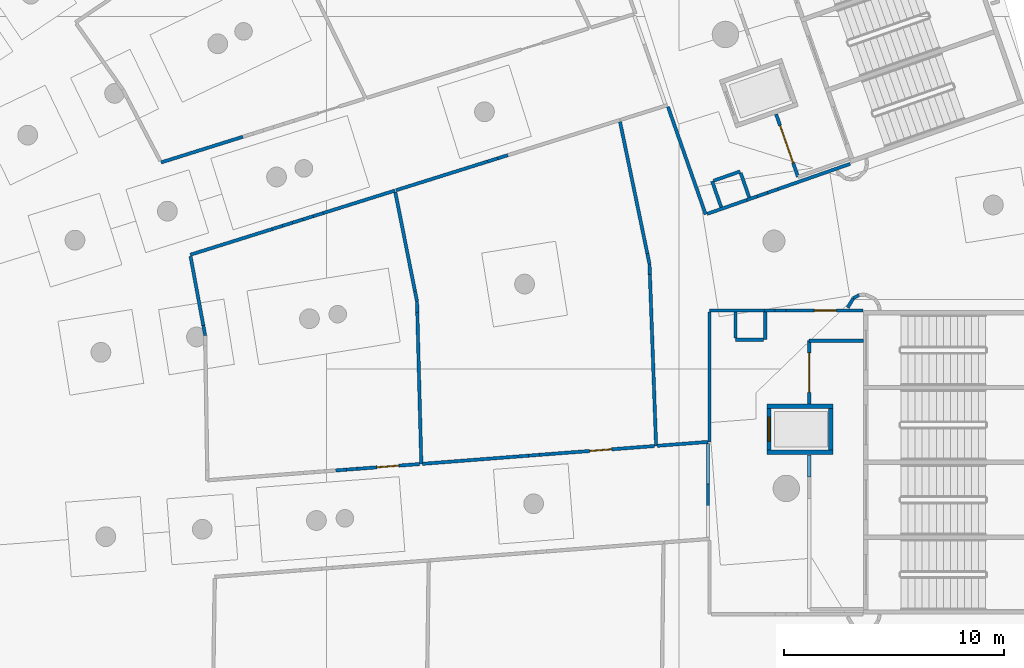
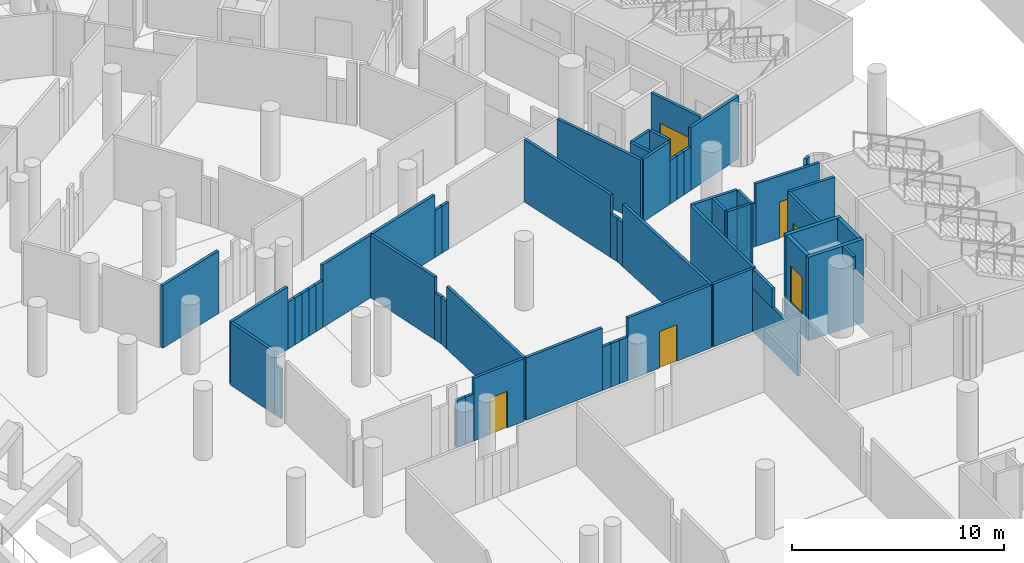
# One storey, part 85 of 142: 59 walls, 6 doors, 6 openings.
"""IFC4 building model written with IfcOpenShell, lengths in metres."""

from ifc_helpers import new_model, si_unit, direction, frame, frame_2d, origin, place, context, subcontext, project, spatial, rectangle, extrude, material, layer, layer_set, type_object, element, fill, save


model = new_model("IFC4")

# Units and contexts
model_context = context("Model", 3, precision=1e-05, world=origin(), true_north=direction((0.0, 1.0)))
body_context = subcontext(model_context, "Body", "Model", "MODEL_VIEW")
ifc_project = project(units=[si_unit("LENGTHUNIT", "METRE"), si_unit("AREAUNIT", "SQUARE_METRE"), si_unit("VOLUMEUNIT", "CUBIC_METRE"), si_unit("PLANEANGLEUNIT", "RADIAN"), si_unit("MASSUNIT", "GRAM", prefix="KILO")], contexts=[model_context])

# Site, building, storey
site_placement = place(None, origin())
site = spatial("IfcSite", under=ifc_project, at=site_placement, CompositionType="ELEMENT")
building_placement = place(site_placement, origin())
building = spatial("IfcBuilding", under=site, at=building_placement, Name="Meseta Stadium", CompositionType="ELEMENT")
storey_placement = place(building_placement, frame((0.0, 0.0, -4.0)))
storey = spatial("IfcBuildingStorey", under=building, at=storey_placement, Name="B1", CompositionType="ELEMENT", Elevation=-4.0)

# Walls
ifc_material_1 = material(Name="Concrete C40/50", Category="concrete")
ifc_layer_1 = layer(ifc_material_1, 0.199951171875)
ifc_layer_set_1 = layer_set([ifc_layer_1], Name="Core shaft wall 200")
wall_type_1 = type_object("IfcWallType", Name="Core shaft wall 200", PredefinedType="SHEAR", material=ifc_layer_set_1)
for number, where, z_axis, x_axis, name in (
    (1, (87.0, 44.199951171875, -1.199951171875), (0.0, 0.0, 1.0), (-1.0, 0.0, 0.0), "Core 05 B1 lift shaft wall left"),
    (2, (87.0, 46.300048828125, -1.199951171875), (0.0, 0.0, 1.0), (-1.0, 0.0, 0.0), "Core 05 B1 lift shaft wall right"),
):
    element("IfcWall", number, at=place(storey_placement, frame(where, z_axis=z_axis, x_axis=x_axis)), inside=storey, type_object=wall_type_1, Name=name, PredefinedType="SHEAR", context=body_context, shape_type="SweptSolid", body=[
        extrude(rectangle(XDim=3.0, YDim=0.199951171875, at=frame_2d((1.5, 0.0))), origin(), (0.0, 0.0, 1.0), 4.800048828125),
    ])
wall_1_placement = place(storey_placement, frame((86.89990234375, 44.300048828125, -1.199951171875), z_axis=(0.0, 0.0, 1.0), x_axis=(0.0, 1.0, 0.0)))
element("IfcWall", 3, at=wall_1_placement, inside=storey, type_object=wall_type_1, Name="Core 05 B1 lift shaft back wall", PredefinedType="SHEAR", context=body_context, shape_type="SweptSolid", body=[
    extrude(rectangle(XDim=1.89990234375, YDim=0.199951171875, at=frame_2d((0.949951171875, 0.0))), origin(), (0.0, 0.0, 1.0), 4.800048828125),
])

# Wall, opening, door
wall_2_placement = place(storey_placement, frame((84.10009765625, 44.300048828125, -1.199951171875), z_axis=(0.0, 0.0, 1.0), x_axis=(0.0, 1.0, 0.0)))
wall_2 = element("IfcWall", 4, at=wall_2_placement, inside=storey, type_object=wall_type_1, Name="Core 05 B1 lift shaft front wall", PredefinedType="SHEAR", context=body_context, shape_type="SweptSolid", body=[
    extrude(rectangle(XDim=1.89990234375, YDim=0.199951171875, at=frame_2d((0.949951171875, 0.0))), origin(), (0.0, 0.0, 1.0), 4.800048828125),
])
opening_1_placement = place(wall_2_placement, frame((0.39990234375, 0.0, 1.199951171875)))
opening_1 = element("IfcOpeningElement", 5, at=opening_1_placement, cuts=wall_2, Name="Opening LD25", PredefinedType="OPENING", context=body_context, shape_type="SweptSolid", body=[
    extrude(rectangle(XDim=1.10009765625, YDim=2.10009765625, at=frame_2d((0.550048828125, 1.050048828125))), frame((0.0, 0.10986328125, 0.0), z_axis=(0.0, -1.0, 0.0), x_axis=(1.0, 0.0, 0.0)), (0.0, 0.0, 1.0), 0.219970703125),
])
ifc_material_2 = material(Name="Steel", Category="steel")
door_type_1 = type_object("IfcDoorType", Name="Lift landing door 1100x2100", OperationType="SLIDING_TO_LEFT", PredefinedType="DOOR", material=ifc_material_2)
door_1_placement = place(opening_1_placement, origin())
door_1 = element("IfcDoor", 6, at=door_1_placement, inside=storey, type_object=door_type_1, Name="Lift landing door LD25", OperationType="SLIDING_TO_LEFT", OverallHeight=2.10009765625, OverallWidth=1.10009765625, PredefinedType="DOOR", context=body_context, shape_type="SweptSolid", body=[
    extrude(rectangle(XDim=1.10009765625, YDim=2.10009765625, at=frame_2d((0.550048828125, 1.050048828125))), frame((0.0, 0.02490234375, 0.0), z_axis=(0.0, -1.0, 0.0), x_axis=(1.0, 0.0, 0.0)), (0.0, 0.0, 1.0), 0.050048828125),
])
fill(opening_1, door_1)

# Walls
ifc_material_3 = material(Name="Masonry blockwork", Category="masonry")
ifc_layer_2 = layer(ifc_material_3, 0.14990234375)
ifc_layer_set_2 = layer_set([ifc_layer_2], Name="Partition 150")
wall_type_2 = type_object("IfcWallType", Name="Partition 150", PredefinedType="PARTITIONING", material=ifc_layer_set_2)
wall_3_placement = place(storey_placement, frame((57.80126953125, 53.18017578125, 0.0), z_axis=(0.0, 0.0, 1.0), x_axis=(0.954202212312, 0.299162394059, 0.0)))
element("IfcWall", 7, at=wall_3_placement, inside=storey, type_object=wall_type_2, Name="Partition B1 B1-cell04-1-0", PredefinedType="PARTITIONING", context=body_context, shape_type="SweptSolid", body=[
    extrude(rectangle(XDim=3.900146484375, YDim=0.14990234375, at=frame_2d((1.9501953125, 0.0))), origin(), (0.0, 0.0, 1.0), 3.60009765625),
])
wall_4_placement = place(storey_placement, frame((61.522705078125, 54.346923828125, 0.0), z_axis=(0.0, 0.0, 1.0), x_axis=(0.954095987043, 0.299500997508, 0.0)))
element("IfcWall", 8, at=wall_4_placement, inside=storey, type_object=wall_type_2, Name="Partition B1 B1-cell04-1-0", PredefinedType="PARTITIONING", context=body_context, shape_type="SweptSolid", body=[
    extrude(rectangle(XDim=0.487548828125, YDim=0.14990234375, at=frame_2d((0.24365234375, 0.0))), origin(), (0.0, 0.0, 1.0), 2.699951171875),
])
wall_5_placement = place(storey_placement, frame((61.98779296875, 54.492919921875, 0.0), z_axis=(0.0, 0.0, 1.0), x_axis=(0.954239015287, 0.299044982743, 0.0)))
element("IfcWall", 9, at=wall_5_placement, inside=storey, type_object=wall_type_2, Name="Partition B1 B1-cell04-1-0", PredefinedType="PARTITIONING", context=body_context, shape_type="SweptSolid", body=[
    extrude(rectangle(XDim=0.4873046875, YDim=0.14990234375, at=frame_2d((0.24365234375, 0.0))), origin(), (0.0, 0.0, 1.0), 2.699951171875),
])
for number, where, z_axis, x_axis, name in (
    (10, (62.452880859375, 54.638671875, 0.0), (0.0, 0.0, 1.0), (0.954283778776, 0.298902106993, 0.0), "Partition B1 B1-cell04-1-0"),
    (11, (62.918212890625, 54.784423828125, 0.0), (0.0, 0.0, 1.0), (0.954095987043, 0.299500997508, 0.0), "Partition B1 B1-cell04-1-0"),
):
    element("IfcWall", number, at=place(storey_placement, frame(where, z_axis=z_axis, x_axis=x_axis)), inside=storey, type_object=wall_type_2, Name=name, PredefinedType="PARTITIONING", context=body_context, shape_type="SweptSolid", body=[
        extrude(rectangle(XDim=0.487548828125, YDim=0.14990234375, at=frame_2d((0.24365234375, 0.0))), origin(), (0.0, 0.0, 1.0), 2.699951171875),
    ])
wall_6_placement = place(storey_placement, frame((63.38330078125, 54.930419921875, 0.0), z_axis=(0.0, 0.0, 1.0), x_axis=(0.954239015287, 0.299044982743, 0.0)))
element("IfcWall", 12, at=wall_6_placement, inside=storey, type_object=wall_type_2, Name="Partition B1 B1-cell04-1-0", PredefinedType="PARTITIONING", context=body_context, shape_type="SweptSolid", body=[
    extrude(rectangle(XDim=0.4873046875, YDim=0.14990234375, at=frame_2d((0.24365234375, 0.0))), origin(), (0.0, 0.0, 1.0), 2.699951171875),
])
wall_7_placement = place(storey_placement, frame((63.848388671875, 55.076171875, 0.0), z_axis=(0.0, 0.0, 1.0), x_axis=(0.954190550933, 0.299199586414, 0.0)))
element("IfcWall", 13, at=wall_7_placement, inside=storey, type_object=wall_type_2, Name="Partition B1 B1-cell04-1-0", PredefinedType="PARTITIONING", context=body_context, shape_type="SweptSolid", body=[
    extrude(rectangle(XDim=3.412353515625, YDim=0.14990234375, at=frame_2d((1.7060546875, 0.0))), origin(), (0.0, 0.0, 1.0), 3.60009765625),
])
wall_8_placement = place(storey_placement, frame((67.119384765625, 56.023193359375, 0.0), z_axis=(0.0, 0.0, 1.0), x_axis=(0.194807566784, -0.980841481547, 0.0)))
element("IfcWall", 14, at=wall_8_placement, inside=storey, type_object=wall_type_2, Name="Partition B1 B1-cell04-1-0", PredefinedType="PARTITIONING", context=body_context, shape_type="SweptSolid", body=[
    extrude(rectangle(XDim=4.593017578125, YDim=0.14990234375, at=frame_2d((2.29638671875, 0.0))), origin(), (0.0, 0.0, 1.0), 3.60009765625),
])
wall_9_placement = place(storey_placement, frame((68.01416015625, 51.51806640625, 0.0), z_axis=(0.0, 0.0, 1.0), x_axis=(0.195010055253, -0.980801243041, 0.0)))
element("IfcWall", 15, at=wall_9_placement, inside=storey, type_object=wall_type_2, Name="Partition B1 B1-cell04-1-0", PredefinedType="PARTITIONING", context=body_context, shape_type="SweptSolid", body=[
    extrude(rectangle(XDim=0.467041015625, YDim=0.14990234375, at=frame_2d((0.2333984375, 0.0))), origin(), (0.0, 0.0, 1.0), 2.699951171875),
])
wall_10_placement = place(storey_placement, frame((68.105224609375, 51.06005859375, 0.0), z_axis=(0.0, 0.0, 1.0), x_axis=(0.026280602223, -0.999654605325, 0.0)))
element("IfcWall", 16, at=wall_10_placement, inside=storey, type_object=wall_type_2, Name="Partition B1 B1-cell04-1-0", PredefinedType="PARTITIONING", context=body_context, shape_type="SweptSolid", body=[
    extrude(rectangle(XDim=0.492431640625, YDim=0.14990234375, at=frame_2d((0.24609375, 0.0))), origin(), (0.0, 0.0, 1.0), 2.699951171875),
])
wall_11_placement = place(storey_placement, frame((68.1181640625, 50.56787109375, 0.0), z_axis=(0.0, 0.0, 1.0), x_axis=(0.026492027296, -0.999649024653, 0.0)))
element("IfcWall", 17, at=wall_11_placement, inside=storey, type_object=wall_type_2, Name="Partition B1 B1-cell04-1-0", PredefinedType="PARTITIONING", context=body_context, shape_type="SweptSolid", body=[
    extrude(rectangle(XDim=6.893310546875, YDim=0.14990234375, at=frame_2d((3.44677734375, 0.0))), origin(), (0.0, 0.0, 1.0), 3.60009765625),
])

# Wall, opening, door
wall_12_placement = place(storey_placement, frame((68.22607421875, 43.671142578125, 0.0), z_axis=(0.0, 0.0, 1.0), x_axis=(-0.997069583708, -0.076499968919, 0.0)))
wall_12 = element("IfcWall", 18, at=wall_12_placement, inside=storey, type_object=wall_type_2, Name="Partition B1 B1-cell04-1-0", PredefinedType="PARTITIONING", context=body_context, shape_type="SweptSolid", body=[
    extrude(rectangle(XDim=2.849853515625, YDim=0.14990234375, at=frame_2d((1.4248046875, 0.0))), origin(), (0.0, 0.0, 1.0), 3.60009765625),
])
opening_2_placement = place(wall_12_placement, frame((0.949951171875, 0.0, 0.0)))
opening_2 = element("IfcOpeningElement", 19, at=opening_2_placement, cuts=wall_12, Name="Opening D445", PredefinedType="OPENING", context=body_context, shape_type="SweptSolid", body=[
    extrude(rectangle(XDim=1.0, YDim=2.10009765625, at=frame_2d((0.5, 1.050048828125))), frame((0.0, 0.0849609375, 0.0), z_axis=(0.0, -1.0, 0.0), x_axis=(1.0, 0.0, 0.0)), (0.0, 0.0, 1.0), 0.169921875),
])
ifc_material_4 = material(Name="Steel", Category="steel")
door_type_2 = type_object("IfcDoorType", Name="Fire door 1000x2100 EI2 60", OperationType="NOTDEFINED", PredefinedType="DOOR", material=ifc_material_4)
door_2_placement = place(opening_2_placement, origin())
door_2 = element("IfcDoor", 20, at=door_2_placement, inside=storey, type_object=door_type_2, Name="Door D445", OperationType="SINGLE_SWING_RIGHT", OverallHeight=2.10009765625, OverallWidth=1.0, PredefinedType="DOOR", context=body_context, shape_type="SweptSolid", body=[
    extrude(rectangle(XDim=1.0, YDim=2.10009765625, at=frame_2d((0.5, 1.050048828125))), frame((0.0, 0.02490234375, 0.0), z_axis=(0.0, -1.0, 0.0), x_axis=(1.0, 0.0, 0.0)), (0.0, 0.0, 1.0), 0.050048828125),
])
fill(opening_2, door_2)

# Walls
wall_13_placement = place(storey_placement, frame((65.384521484375, 43.453125, 0.0), z_axis=(0.0, 0.0, 1.0), x_axis=(-0.997063311839, -0.076581670036, 0.0)))
element("IfcWall", 21, at=wall_13_placement, inside=storey, type_object=wall_type_2, Name="Partition B1 B1-cell04-1-0", PredefinedType="PARTITIONING", context=body_context, shape_type="SweptSolid", body=[
    extrude(rectangle(XDim=0.48779296875, YDim=0.14990234375, at=frame_2d((0.243896484375, 0.0))), origin(), (0.0, 0.0, 1.0), 2.699951171875),
])
wall_14_placement = place(storey_placement, frame((64.898193359375, 43.415771484375, 0.0), z_axis=(0.0, 0.0, 1.0), x_axis=(-0.997057432024, -0.076658184472, 0.0)))
element("IfcWall", 22, at=wall_14_placement, inside=storey, type_object=wall_type_2, Name="Partition B1 B1-cell04-1-0", PredefinedType="PARTITIONING", context=body_context, shape_type="SweptSolid", body=[
    extrude(rectangle(XDim=0.4873046875, YDim=0.14990234375, at=frame_2d((0.24365234375, 0.0))), origin(), (0.0, 0.0, 1.0), 2.699951171875),
])
wall_15_placement = place(storey_placement, frame((58.479248046875, 49.509765625, 0.0), z_axis=(0.0, 0.0, 1.0), x_axis=(-0.181601982184, 0.983372116783, 0.0)))
element("IfcWall", 23, at=wall_15_placement, inside=storey, type_object=wall_type_2, Name="Partition B1 B1-cell04-1-0", PredefinedType="PARTITIONING", context=body_context, shape_type="SweptSolid", body=[
    extrude(rectangle(XDim=0.466552734375, YDim=0.14990234375, at=frame_2d((0.2333984375, 0.0))), origin(), (0.0, 0.0, 1.0), 2.85009765625),
])
wall_16_placement = place(storey_placement, frame((58.39453125, 49.968505859375, 0.0), z_axis=(0.0, 0.0, 1.0), x_axis=(-0.18165904476, 0.983361577171, 0.0)))
element("IfcWall", 24, at=wall_16_placement, inside=storey, type_object=wall_type_2, Name="Partition B1 B1-cell04-1-0", PredefinedType="PARTITIONING", context=body_context, shape_type="SweptSolid", body=[
    extrude(rectangle(XDim=3.1904296875, YDim=0.14990234375, at=frame_2d((1.59521484375, 0.0))), origin(), (0.0, 0.0, 1.0), 3.60009765625),
])
wall_17_placement = place(storey_placement, frame((67.15234375, 56.112060546875, 0.0), z_axis=(0.0, 0.0, 1.0), x_axis=(0.954196372084, 0.299181021292, 0.0)))
element("IfcWall", 25, at=wall_17_placement, inside=storey, type_object=wall_type_2, Name="Partition B1 B1-cell04-2-0", PredefinedType="PARTITIONING", context=body_context, shape_type="SweptSolid", body=[
    extrude(rectangle(XDim=4.356689453125, YDim=0.14990234375, at=frame_2d((2.17822265625, 0.0))), origin(), (0.0, 0.0, 1.0), 3.60009765625),
])
for number, where, z_axis, x_axis, name in (
    (26, (71.3095703125, 57.41552734375, 0.0), (0.0, 0.0, 1.0), (0.954228362244, 0.299078974001, 0.0), "Partition B1 B1-cell04-2-0"),
    (27, (71.771484375, 57.560302734375, 0.0), (0.0, 0.0, 1.0), (0.954228362244, 0.299078974001, 0.0), "Partition B1 B1-cell04-2-0"),
):
    element("IfcWall", number, at=place(storey_placement, frame(where, z_axis=z_axis, x_axis=x_axis)), inside=storey, type_object=wall_type_2, Name=name, PredefinedType="PARTITIONING", context=body_context, shape_type="SweptSolid", body=[
        extrude(rectangle(XDim=0.484130859375, YDim=0.14990234375, at=frame_2d((0.2421875, 0.0))), origin(), (0.0, 0.0, 1.0), 2.699951171875),
    ])
wall_18_placement = place(storey_placement, frame((77.329833984375, 59.224609375, 0.0), z_axis=(0.0, 0.0, 1.0), x_axis=(0.20289695764, -0.979200094251, 0.0)))
element("IfcWall", 28, at=wall_18_placement, inside=storey, type_object=wall_type_2, Name="Partition B1 B1-cell04-2-0", PredefinedType="PARTITIONING", context=body_context, shape_type="SweptSolid", body=[
    extrude(rectangle(XDim=6.12353515625, YDim=0.14990234375, at=frame_2d((3.061767578125, 0.0))), origin(), (0.0, 0.0, 1.0), 3.60009765625),
])
wall_19_placement = place(storey_placement, frame((78.572265625, 53.228515625, 0.0), z_axis=(0.0, 0.0, 1.0), x_axis=(0.20270716315, -0.979239401785, 0.0)))
element("IfcWall", 29, at=wall_19_placement, inside=storey, type_object=wall_type_2, Name="Partition B1 B1-cell04-2-0", PredefinedType="PARTITIONING", context=body_context, shape_type="SweptSolid", body=[
    extrude(rectangle(XDim=0.47705078125, YDim=0.14990234375, at=frame_2d((0.238525390625, 0.0))), origin(), (0.0, 0.0, 1.0), 2.5),
])
wall_20_placement = place(storey_placement, frame((78.6689453125, 52.761474609375, 0.0), z_axis=(0.0, 0.0, 1.0), x_axis=(0.036622003428, -0.999329189439, 0.0)))
element("IfcWall", 30, at=wall_20_placement, inside=storey, type_object=wall_type_2, Name="Partition B1 B1-cell04-2-0", PredefinedType="PARTITIONING", context=body_context, shape_type="SweptSolid", body=[
    extrude(rectangle(XDim=0.486572265625, YDim=0.14990234375, at=frame_2d((0.2431640625, 0.0))), origin(), (0.0, 0.0, 1.0), 2.5),
])
wall_21_placement = place(storey_placement, frame((78.686767578125, 52.275146484375, 0.0), z_axis=(0.0, 0.0, 1.0), x_axis=(0.036317977956, -0.999340284626, 0.0)))
element("IfcWall", 31, at=wall_21_placement, inside=storey, type_object=wall_type_2, Name="Partition B1 B1-cell04-2-0", PredefinedType="PARTITIONING", context=body_context, shape_type="SweptSolid", body=[
    extrude(rectangle(XDim=7.784423828125, YDim=0.14990234375, at=frame_2d((3.89208984375, 0.0))), origin(), (0.0, 0.0, 1.0), 3.60009765625),
])

# Wall, opening, door
wall_22_placement = place(storey_placement, frame((78.89453125, 44.489990234375, 0.0), z_axis=(0.0, 0.0, 1.0), x_axis=(-0.997066827754, -0.076535880423, 0.0)))
wall_22 = element("IfcWall", 32, at=wall_22_placement, inside=storey, type_object=wall_type_2, Name="Partition B1 B1-cell04-2-0", PredefinedType="PARTITIONING", context=body_context, shape_type="SweptSolid", body=[
    extrude(rectangle(XDim=4.765625, YDim=0.14990234375, at=frame_2d((2.3828125, 0.0))), origin(), (0.0, 0.0, 1.0), 3.60009765625),
])
opening_3_placement = place(wall_22_placement, frame((1.949951171875, 0.0, 0.0)))
opening_3 = element("IfcOpeningElement", 33, at=opening_3_placement, cuts=wall_22, Name="Opening D446", PredefinedType="OPENING", context=body_context, shape_type="SweptSolid", body=[
    extrude(rectangle(XDim=1.0, YDim=2.10009765625, at=frame_2d((0.5, 1.050048828125))), frame((0.0, 0.0849609375, 0.0), z_axis=(0.0, -1.0, 0.0), x_axis=(1.0, 0.0, 0.0)), (0.0, 0.0, 1.0), 0.169921875),
])
door_3_placement = place(opening_3_placement, origin())
door_3 = element("IfcDoor", 34, at=door_3_placement, inside=storey, type_object=door_type_2, Name="Door D446", OperationType="SINGLE_SWING_LEFT", OverallHeight=2.10009765625, OverallWidth=1.0, PredefinedType="DOOR", context=body_context, shape_type="SweptSolid", body=[
    extrude(rectangle(XDim=1.0, YDim=2.10009765625, at=frame_2d((0.5, 1.050048828125))), frame((0.0, 0.02490234375, 0.0), z_axis=(0.0, -1.0, 0.0), x_axis=(1.0, 0.0, 0.0)), (0.0, 0.0, 1.0), 0.050048828125),
])
fill(opening_3, door_3)

# Walls
for number, where, z_axis, x_axis, name in (
    (35, (74.142822265625, 44.125244140625, 0.0), (0.0, 0.0, 1.0), (-0.997095873835, -0.076156538669, 0.0), "Partition B1 B1-cell04-2-0"),
    (36, (73.66015625, 44.08837890625, 0.0), (0.0, 0.0, 1.0), (-0.997057451394, -0.07665793253, 0.0), "Partition B1 B1-cell04-2-0"),
    (37, (73.177490234375, 44.05126953125, 0.0), (0.0, 0.0, 1.0), (-0.997057451394, -0.07665793253, 0.0), "Partition B1 B1-cell04-2-0"),
):
    element("IfcWall", number, at=place(storey_placement, frame(where, z_axis=z_axis, x_axis=x_axis)), inside=storey, type_object=wall_type_2, Name=name, PredefinedType="PARTITIONING", context=body_context, shape_type="SweptSolid", body=[
        extrude(rectangle(XDim=0.484130859375, YDim=0.14990234375, at=frame_2d((0.2421875, 0.0))), origin(), (0.0, 0.0, 1.0), 2.5),
    ])
wall_23_placement = place(storey_placement, frame((72.69482421875, 44.01416015625, 0.0), z_axis=(0.0, 0.0, 1.0), x_axis=(-0.997070286559, -0.076490807686, 0.0)))
element("IfcWall", 38, at=wall_23_placement, inside=storey, type_object=wall_type_2, Name="Partition B1 B1-cell04-2-0", PredefinedType="PARTITIONING", context=body_context, shape_type="SweptSolid", body=[
    extrude(rectangle(XDim=4.356689453125, YDim=0.14990234375, at=frame_2d((2.17822265625, 0.0))), origin(), (0.0, 0.0, 1.0), 3.60009765625),
])
wall_24_placement = place(storey_placement, frame((79.508056640625, 59.907470703125, 0.0), z_axis=(0.0, 0.0, 1.0), x_axis=(0.330291692253, -0.943878910681, 0.0)))
element("IfcWall", 39, at=wall_24_placement, inside=storey, type_object=wall_type_2, Name="Partition B1 B1-cell04-3-0", PredefinedType="PARTITIONING", context=body_context, shape_type="SweptSolid", body=[
    extrude(rectangle(XDim=5.1845703125, YDim=0.14990234375, at=frame_2d((2.59228515625, 0.0))), origin(), (0.0, 0.0, 1.0), 3.60009765625),
])
wall_25_placement = place(storey_placement, frame((81.291259765625, 55.038818359375, 0.0), z_axis=(0.0, 0.0, 1.0), x_axis=(0.943910062753, 0.330202655097, 0.0)))
element("IfcWall", 40, at=wall_25_placement, inside=storey, type_object=wall_type_2, Name="Partition B1 B1-cell04-3-0", PredefinedType="PARTITIONING", context=body_context, shape_type="SweptSolid", body=[
    extrude(rectangle(XDim=1.91357421875, YDim=0.14990234375, at=frame_2d((0.956787109375, 0.0))), origin(), (0.0, 0.0, 1.0), 3.60009765625),
])
for number, where, z_axis, x_axis, name in (
    (41, (83.097412109375, 55.670654296875, 0.0), (0.0, 0.0, 1.0), (0.943812413138, 0.330481661832, 0.0), "Partition B1 B1-cell04-3-0"),
    (42, (83.566650390625, 55.8349609375, 0.0), (0.0, 0.0, 1.0), (0.943965503635, 0.330044130303, 0.0), "Partition B1 B1-cell04-3-0"),
    (43, (84.035888671875, 55.9990234375, 0.0), (0.0, 0.0, 1.0), (0.943812413138, 0.330481661832, 0.0), "Partition B1 B1-cell04-3-0"),
):
    element("IfcWall", number, at=place(storey_placement, frame(where, z_axis=z_axis, x_axis=x_axis)), inside=storey, type_object=wall_type_2, Name=name, PredefinedType="PARTITIONING", context=body_context, shape_type="SweptSolid", body=[
        extrude(rectangle(XDim=0.4970703125, YDim=0.14990234375, at=frame_2d((0.24853515625, 0.0))), origin(), (0.0, 0.0, 1.0), 2.5),
    ])
wall_26_placement = place(storey_placement, frame((84.505126953125, 56.163330078125, 0.0), z_axis=(0.0, 0.0, 1.0), x_axis=(0.943878042103, 0.330294174389, 0.0)))
element("IfcWall", 44, at=wall_26_placement, inside=storey, type_object=wall_type_2, Name="Partition B1 B1-cell04-3-0", PredefinedType="PARTITIONING", context=body_context, shape_type="SweptSolid", body=[
    extrude(rectangle(XDim=3.47998046875, YDim=0.14990234375, at=frame_2d((1.739990234375, 0.0))), origin(), (0.0, 0.0, 1.0), 3.60009765625),
])

# Wall, opening, door
wall_27_placement = place(storey_placement, frame((88.360107421875, 50.64990234375, 0.0), z_axis=(0.0, 0.0, 1.0), x_axis=(-1.0, 0.0, 0.0)))
wall_27 = element("IfcWall", 45, at=wall_27_placement, inside=storey, type_object=wall_type_2, Name="Partition B1 B1-cell04-3-0", PredefinedType="PARTITIONING", context=body_context, shape_type="SweptSolid", body=[
    extrude(rectangle(XDim=3.480224609375, YDim=0.14990234375, at=frame_2d((1.740234375, 0.0))), origin(), (0.0, 0.0, 1.0), 3.60009765625),
])
opening_4_placement = place(wall_27_placement, frame((1.199951171875, 0.0, 0.0)))
opening_4 = element("IfcOpeningElement", 46, at=opening_4_placement, cuts=wall_27, Name="Opening D447", PredefinedType="OPENING", context=body_context, shape_type="SweptSolid", body=[
    extrude(rectangle(XDim=1.0, YDim=2.10009765625, at=frame_2d((0.5, 1.050048828125))), frame((0.0, 0.0849609375, 0.0), z_axis=(0.0, -1.0, 0.0), x_axis=(1.0, 0.0, 0.0)), (0.0, 0.0, 1.0), 0.169921875),
])
door_4_placement = place(opening_4_placement, origin())
door_4 = element("IfcDoor", 47, at=door_4_placement, inside=storey, type_object=door_type_2, Name="Door D447", OperationType="SINGLE_SWING_RIGHT", OverallHeight=2.10009765625, OverallWidth=1.0, PredefinedType="DOOR", context=body_context, shape_type="SweptSolid", body=[
    extrude(rectangle(XDim=1.0, YDim=2.10009765625, at=frame_2d((0.5, 1.050048828125))), frame((0.0, 0.02490234375, 0.0), z_axis=(0.0, -1.0, 0.0), x_axis=(1.0, 0.0, 0.0)), (0.0, 0.0, 1.0), 0.050048828125),
])
fill(opening_4, door_4)

# Walls
for number, where, z_axis, x_axis, name in (
    (48, (84.8798828125, 50.64990234375, 0.0), (0.0, 0.0, 1.0), (-1.0, 0.0, 0.0), "Partition B1 B1-cell04-3-0"),
    (49, (84.3828125, 50.64990234375, 0.0), (0.0, 0.0, 1.0), (-1.0, 0.0, 0.0), "Partition B1 B1-cell04-3-0"),
):
    element("IfcWall", number, at=place(storey_placement, frame(where, z_axis=z_axis, x_axis=x_axis)), inside=storey, type_object=wall_type_2, Name=name, PredefinedType="PARTITIONING", context=body_context, shape_type="SweptSolid", body=[
        extrude(rectangle(XDim=0.4970703125, YDim=0.14990234375, at=frame_2d((0.24853515625, 0.0))), origin(), (0.0, 0.0, 1.0), 2.5),
    ])
wall_28_placement = place(storey_placement, frame((83.8857421875, 50.64990234375, 0.0), z_axis=(0.0, 0.0, 1.0), x_axis=(-1.0, 0.0, 0.0)))
element("IfcWall", 50, at=wall_28_placement, inside=storey, type_object=wall_type_2, Name="Partition B1 B1-cell04-3-0", PredefinedType="PARTITIONING", context=body_context, shape_type="SweptSolid", body=[
    extrude(rectangle(XDim=2.48583984375, YDim=0.14990234375, at=frame_2d((1.242919921875, 0.0))), origin(), (0.0, 0.0, 1.0), 3.60009765625),
])
wall_29_placement = place(storey_placement, frame((81.39990234375, 50.574951171875, 0.0), z_axis=(0.0, 0.0, 1.0), x_axis=(0.0, -1.0, 0.0)))
element("IfcWall", 51, at=wall_29_placement, inside=storey, type_object=wall_type_2, Name="Partition B1 B1-cell04-3-0", PredefinedType="PARTITIONING", context=body_context, shape_type="SweptSolid", body=[
    extrude(rectangle(XDim=5.892578125, YDim=0.14990234375, at=frame_2d((2.9462890625, 0.0))), origin(), (0.0, 0.0, 1.0), 3.60009765625),
])
wall_30_placement = place(storey_placement, frame((81.324951171875, 44.676513671875, 0.0), z_axis=(0.0, 0.0, 1.0), x_axis=(-0.997066273449, -0.076543101255, 0.0)))
element("IfcWall", 52, at=wall_30_placement, inside=storey, type_object=wall_type_2, Name="Partition B1 B1-cell04-3-0", PredefinedType="PARTITIONING", context=body_context, shape_type="SweptSolid", body=[
    extrude(rectangle(XDim=2.3125, YDim=0.14990234375, at=frame_2d((1.15625, 0.0))), origin(), (0.0, 0.0, 1.0), 3.60009765625),
])
wall_31_placement = place(storey_placement, frame((60.1923828125, 58.541259765625, 0.0), z_axis=(0.0, 0.0, 1.0), x_axis=(-0.954184030199, -0.299220381178, 0.0)))
element("IfcWall", 53, at=wall_31_placement, inside=storey, type_object=wall_type_2, Name="Partition B1 B1-cell05-1-0", PredefinedType="PARTITIONING", context=body_context, shape_type="SweptSolid", body=[
    extrude(rectangle(XDim=3.89599609375, YDim=0.14990234375, at=frame_2d((1.947998046875, 0.0))), origin(), (0.0, 0.0, 1.0), 3.60009765625),
])
wall_32_placement = place(storey_placement, frame((83.925048828125, 49.324951171875, 0.0), z_axis=(0.0, 0.0, 1.0), x_axis=(0.0, 1.0, 0.0)))
element("IfcWall", 54, at=wall_32_placement, inside=storey, type_object=wall_type_2, Name="Pressurisation shaft wall B1 core 05", PredefinedType="PARTITIONING", context=body_context, shape_type="SweptSolid", body=[
    extrude(rectangle(XDim=1.2490234375, YDim=0.14990234375, at=frame_2d((0.62451171875, 0.0))), origin(), (0.0, 0.0, 1.0), 3.60009765625),
])
wall_33_placement = place(storey_placement, frame((82.574951171875, 50.573974609375, 0.0), z_axis=(0.0, 0.0, 1.0), x_axis=(0.0, -1.0, 0.0)))
element("IfcWall", 55, at=wall_33_placement, inside=storey, type_object=wall_type_2, Name="Pressurisation shaft wall B1 core 05", PredefinedType="PARTITIONING", context=body_context, shape_type="SweptSolid", body=[
    extrude(rectangle(XDim=1.174072265625, YDim=0.14990234375, at=frame_2d((0.5869140625, 0.0))), origin(), (0.0, 0.0, 1.0), 3.60009765625),
])
wall_34_placement = place(storey_placement, frame((82.574951171875, 49.324951171875, 0.0), z_axis=(0.0, 0.0, 1.0), x_axis=(1.0, 0.0, 0.0)))
element("IfcWall", 56, at=wall_34_placement, inside=storey, type_object=wall_type_2, Name="Pressurisation shaft wall B1 core 05", PredefinedType="PARTITIONING", context=body_context, shape_type="SweptSolid", body=[
    extrude(rectangle(XDim=1.275146484375, YDim=0.14990234375, at=frame_2d((0.6376953125, 0.0))), origin(), (0.0, 0.0, 1.0), 3.60009765625),
])
wall_35_placement = place(storey_placement, frame((88.389892578125, 49.27490234375, 0.0), z_axis=(0.0, 0.0, 1.0), x_axis=(-1.0, 0.0, 0.0)))
element("IfcWall", 57, at=wall_35_placement, inside=storey, type_object=wall_type_2, Name="Stair vestibule wall B1 core 05", PredefinedType="PARTITIONING", context=body_context, shape_type="SweptSolid", body=[
    extrude(rectangle(XDim=2.46484375, YDim=0.14990234375, at=frame_2d((1.232421875, 0.0))), origin(), (0.0, 0.0, 1.0), 3.60009765625),
])

# Wall, opening, door
wall_36_placement = place(storey_placement, frame((85.925048828125, 49.27490234375, 0.0), z_axis=(0.0, 0.0, 1.0), x_axis=(0.0, -1.0, 0.0)))
wall_36 = element("IfcWall", 58, at=wall_36_placement, inside=storey, type_object=wall_type_2, Name="Stair vestibule wall B1 core 05", PredefinedType="PARTITIONING", context=body_context, shape_type="SweptSolid", body=[
    extrude(rectangle(XDim=2.864990234375, YDim=0.14990234375, at=frame_2d((1.4326171875, 0.0))), origin(), (0.0, 0.0, 1.0), 3.60009765625),
])
opening_5_placement = place(wall_36_placement, frame((0.550048828125, 0.0, 0.0)))
opening_5 = element("IfcOpeningElement", 59, at=opening_5_placement, cuts=wall_36, Name="Opening D718", PredefinedType="OPENING", context=body_context, shape_type="SweptSolid", body=[
    extrude(rectangle(XDim=1.800048828125, YDim=2.10009765625, at=frame_2d((0.89990234375, 1.050048828125))), frame((0.0, 0.0849609375, 0.0), z_axis=(0.0, -1.0, 0.0), x_axis=(1.0, 0.0, 0.0)), (0.0, 0.0, 1.0), 0.169921875),
])
ifc_material_5 = material(Name="Steel", Category="steel")
door_type_3 = type_object("IfcDoorType", Name="Fire double door 1800x2100 EI2 60", OperationType="DOUBLE_DOOR_SINGLE_SWING", PredefinedType="DOOR", material=ifc_material_5)
door_5_placement = place(opening_5_placement, origin())
door_5 = element("IfcDoor", 60, at=door_5_placement, inside=storey, type_object=door_type_3, Name="Stair vestibule door B1 core 05", OperationType="DOUBLE_DOOR_SINGLE_SWING", OverallHeight=2.10009765625, OverallWidth=1.800048828125, PredefinedType="DOOR", context=body_context, shape_type="SweptSolid", body=[
    extrude(rectangle(XDim=1.800048828125, YDim=2.10009765625, at=frame_2d((0.89990234375, 1.050048828125))), frame((0.0, 0.02490234375, 0.0), z_axis=(0.0, -1.0, 0.0), x_axis=(1.0, 0.0, 0.0)), (0.0, 0.0, 1.0), 0.050048828125),
])
fill(opening_5, door_5)

# Walls
wall_37_placement = place(storey_placement, frame((85.925048828125, 44.090087890625, 2.85009765625), z_axis=(0.0, 0.0, 1.0), x_axis=(0.0, -1.0, 0.0)))
element("IfcWall", 61, at=wall_37_placement, inside=storey, type_object=wall_type_2, Name="Stair vestibule wall B1 core 05", PredefinedType="PARTITIONING", context=body_context, shape_type="SweptSolid", body=[
    extrude(rectangle(XDim=0.9970703125, YDim=0.14990234375, at=frame_2d((0.49853515625, 0.0))), origin(), (0.0, 0.0, 1.0), 0.75),
])
wall_38_placement = place(storey_placement, frame((81.324951171875, 44.594482421875, 0.0), z_axis=(0.0, 0.0, 1.0), x_axis=(0.0, -1.0, 0.0)))
element("IfcWall", 62, at=wall_38_placement, inside=storey, type_object=wall_type_2, Name="Stair vestibule wall B1 core 05", PredefinedType="PARTITIONING", context=body_context, shape_type="SweptSolid", body=[
    extrude(rectangle(XDim=4.24072265625, YDim=0.14990234375, at=frame_2d((2.120361328125, 0.0))), origin(), (0.0, 0.0, 1.0), 2.5),
])
wall_39_placement = place(storey_placement, frame((81.324951171875, 44.594482421875, 2.5), z_axis=(0.0, 0.0, 1.0), x_axis=(0.0, -1.0, 0.0)))
element("IfcWall", 63, at=wall_39_placement, inside=storey, type_object=wall_type_2, Name="Stair vestibule wall B1 core 05", PredefinedType="PARTITIONING", context=body_context, shape_type="SweptSolid", body=[
    extrude(rectangle(XDim=1.841552734375, YDim=0.14990234375, at=frame_2d((0.9208984375, 0.0))), origin(), (0.0, 0.0, 1.0), 1.10009765625),
])
wall_40_placement = place(storey_placement, frame((88.189208984375, 51.34521484375, 0.0), z_axis=(0.0, 0.0, 1.0), x_axis=(-0.881768319, -0.471682765858, 0.0)))
element("IfcWall", 64, at=wall_40_placement, inside=storey, type_object=wall_type_2, Name="Stair vestibule wall B1 core 05", PredefinedType="PARTITIONING", context=body_context, shape_type="SweptSolid", body=[
    extrude(rectangle(XDim=0.289306640625, YDim=0.14990234375, at=frame_2d((0.14453125, 0.0))), origin(), (0.0, 0.0, 1.0), 3.60009765625),
])
wall_41_placement = place(storey_placement, frame((87.93408203125, 51.208740234375, 0.0), z_axis=(0.0, 0.0, 1.0), x_axis=(-0.513060623194, -0.858352373404, 0.0)))
element("IfcWall", 65, at=wall_41_placement, inside=storey, type_object=wall_type_2, Name="Stair vestibule wall B1 core 05", PredefinedType="PARTITIONING", context=body_context, shape_type="SweptSolid", body=[
    extrude(rectangle(XDim=0.50048828125, YDim=0.14990234375, at=frame_2d((0.250244140625, 0.0))), origin(), (0.0, 0.0, 1.0), 3.60009765625),
])
wall_42_placement = place(storey_placement, frame((83.201171875, 55.78759765625, 0.0), z_axis=(0.0, 0.0, 1.0), x_axis=(-0.330294835497, 0.943877810759, 0.0)))
element("IfcWall", 66, at=wall_42_placement, inside=storey, type_object=wall_type_2, Name="Pressurisation shaft wall B1 core 06", PredefinedType="PARTITIONING", context=body_context, shape_type="SweptSolid", body=[
    extrude(rectangle(XDim=1.173828125, YDim=0.14990234375, at=frame_2d((0.5869140625, 0.0))), origin(), (0.0, 0.0, 1.0), 3.60009765625),
])
wall_43_placement = place(storey_placement, frame((82.78857421875, 56.96630859375, 0.0), z_axis=(0.0, 0.0, 1.0), x_axis=(-0.943927004722, -0.330154221169, 0.0)))
element("IfcWall", 67, at=wall_43_placement, inside=storey, type_object=wall_type_2, Name="Pressurisation shaft wall B1 core 06", PredefinedType="PARTITIONING", context=body_context, shape_type="SweptSolid", body=[
    extrude(rectangle(XDim=1.27490234375, YDim=0.14990234375, at=frame_2d((0.637451171875, 0.0))), origin(), (0.0, 0.0, 1.0), 3.60009765625),
])
wall_44_placement = place(storey_placement, frame((81.514404296875, 56.5205078125, 0.0), z_axis=(0.0, 0.0, 1.0), x_axis=(0.33032430547, -0.943867497701, 0.0)))
element("IfcWall", 68, at=wall_44_placement, inside=storey, type_object=wall_type_2, Name="Pressurisation shaft wall B1 core 06", PredefinedType="PARTITIONING", context=body_context, shape_type="SweptSolid", body=[
    extrude(rectangle(XDim=1.2490234375, YDim=0.14990234375, at=frame_2d((0.62451171875, 0.0))), origin(), (0.0, 0.0, 1.0), 3.60009765625),
])

# Wall, opening, door
wall_45_placement = place(storey_placement, frame((84.42138671875, 59.566650390625, 0.0), z_axis=(0.0, 0.0, 1.0), x_axis=(0.330281895816, -0.943882338693, 0.0)))
wall_45 = element("IfcWall", 69, at=wall_45_placement, inside=storey, type_object=wall_type_2, Name="Stair vestibule wall B1 core 06", PredefinedType="PARTITIONING", context=body_context, shape_type="SweptSolid", body=[
    extrude(rectangle(XDim=3.01513671875, YDim=0.14990234375, at=frame_2d((1.507568359375, 0.0))), origin(), (0.0, 0.0, 1.0), 3.60009765625),
])
opening_6_placement = place(wall_45_placement, frame((0.550048828125, 0.0, 0.0)))
opening_6 = element("IfcOpeningElement", 70, at=opening_6_placement, cuts=wall_45, Name="Opening D719", PredefinedType="OPENING", context=body_context, shape_type="SweptSolid", body=[
    extrude(rectangle(XDim=1.800048828125, YDim=2.10009765625, at=frame_2d((0.89990234375, 1.050048828125))), frame((0.0, 0.0849609375, 0.0), z_axis=(0.0, -1.0, 0.0), x_axis=(1.0, 0.0, 0.0)), (0.0, 0.0, 1.0), 0.169921875),
])
door_6_placement = place(opening_6_placement, origin())
door_6 = element("IfcDoor", 71, at=door_6_placement, inside=storey, type_object=door_type_3, Name="Stair vestibule door B1 core 06", OperationType="DOUBLE_DOOR_SINGLE_SWING", OverallHeight=2.10009765625, OverallWidth=1.800048828125, PredefinedType="DOOR", context=body_context, shape_type="SweptSolid", body=[
    extrude(rectangle(XDim=1.800048828125, YDim=2.10009765625, at=frame_2d((0.89990234375, 1.050048828125))), frame((0.0, 0.02490234375, 0.0), z_axis=(0.0, -1.0, 0.0), x_axis=(1.0, 0.0, 0.0)), (0.0, 0.0, 1.0), 0.050048828125),
])
fill(opening_6, door_6)

save(model, "model.ifc")
